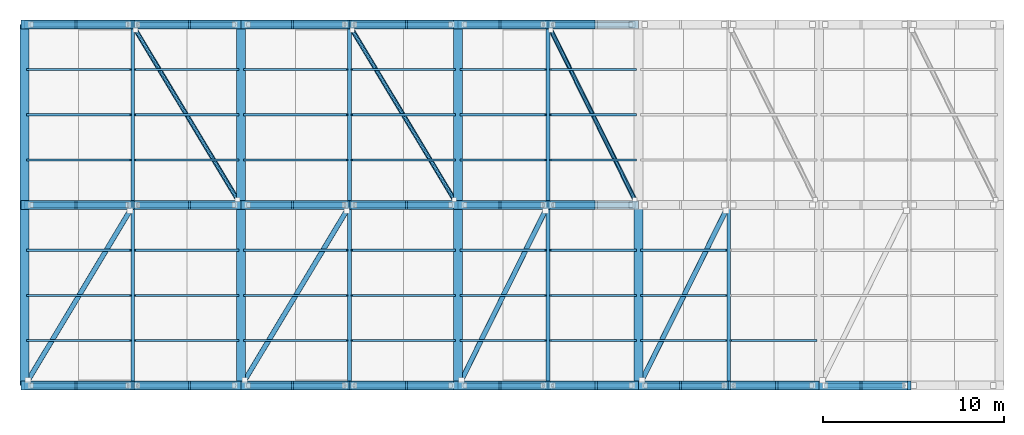
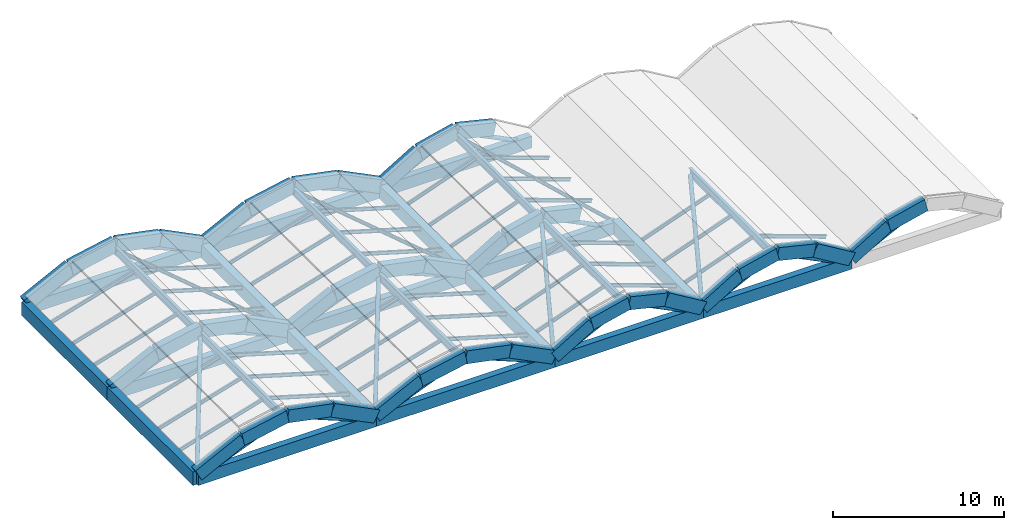
# One storey, part 1 of 3: 68 members, 64 beams.
"""IFC4 building model written with IfcOpenShell, lengths in metres."""

from ifc_helpers import new_model, si_unit, direction, frame, origin, origin_2d, place, context, subcontext, project, spatial, rectangle, hollow_circle, i_section, extrude, material, material_profile, profile_set, type_object, element, save


model = new_model("IFC4")

# Units and contexts
model_context = context("Model", 3, precision=1e-05, world=origin(), true_north=direction((0.0, 1.0)))
body_context = subcontext(model_context, "Body", "Model", "MODEL_VIEW")
ifc_project = project(units=[si_unit("LENGTHUNIT", "METRE"), si_unit("AREAUNIT", "SQUARE_METRE"), si_unit("VOLUMEUNIT", "CUBIC_METRE"), si_unit("PLANEANGLEUNIT", "RADIAN"), si_unit("MASSUNIT", "GRAM", prefix="KILO")], contexts=[model_context])

# Site, building, storey
site_placement = place(None, origin())
site = spatial("IfcSite", under=ifc_project, at=site_placement, CompositionType="ELEMENT")
building_placement = place(site_placement, origin())
building = spatial("IfcBuilding", under=site, at=building_placement, Name="Mersad Railyard Sports Hall", CompositionType="ELEMENT")
storey_placement = place(building_placement, frame((0.0, 0.0, 25.800048828125)))
storey = spatial("IfcBuildingStorey", under=building, at=storey_placement, Name="RF", CompositionType="ELEMENT", Elevation=25.800048828125)

# Beams
ifc_material_1 = material(Name="Concrete C40/50", Category="concrete")
ifc_material_profile_1 = material_profile(ifc_material_1, rectangle(XDim=0.449951171875, YDim=0.85009765625, at=origin_2d()), Name="RC 450x850")
ifc_profile_set_1 = profile_set([ifc_material_profile_1], Name="Concrete C40/50")
beam_type_1 = type_object("IfcBeamType", Name="STR-BM-B02", PredefinedType="BEAM", material=ifc_profile_set_1)
for number, where, z_axis, x_axis, name in (
    (1, (67.0, 95.0, -0.449951171875), (1.0, 0.0, 0.0), (0.0, 1.0, 0.0), "Beam B02-1491"),
    (2, (67.0, 105.0, -0.449951171875), (1.0, 0.0, 0.0), (0.0, 1.0, 0.0), "Beam B02-1496"),
    (3, (67.0, 115.0, -0.449951171875), (1.0, 0.0, 0.0), (0.0, 1.0, 0.0), "Beam B02-1501"),
    (4, (79.0, 95.0, -0.449951171875), (1.0, 0.0, 0.0), (0.0, 1.0, 0.0), "Beam B02-1508"),
    (5, (79.0, 105.0, -0.449951171875), (1.0, 0.0, 0.0), (0.0, 1.0, 0.0), "Beam B02-1513"),
    (6, (79.0, 115.0, -0.449951171875), (1.0, 0.0, 0.0), (0.0, 1.0, 0.0), "Beam B02-1518"),
):
    element("IfcBeam", number, at=place(storey_placement, frame(where, z_axis=z_axis, x_axis=x_axis)), inside=storey, type_object=beam_type_1, Name=name, PredefinedType="BEAM", context=body_context, shape_type="SweptSolid", body=[
        extrude(rectangle(XDim=0.449951171875, YDim=0.85009765625, at=origin_2d()), origin(), (0.0, 0.0, 1.0), 12.0),
    ])
for number, where, z_axis, x_axis, name in (
    (7, (91.0, 95.0, -0.449951171875), (1.0, 0.0, 0.0), (0.0, 1.0, 0.0), "Beam B02-1525"),
    (8, (91.0, 105.0, -0.449951171875), (1.0, 0.0, 0.0), (0.0, 1.0, 0.0), "Beam B02-1530"),
    (9, (91.0, 115.0, -0.449951171875), (1.0, 0.0, 0.0), (0.0, 1.0, 0.0), "Beam B02-1535"),
    (10, (101.0, 95.0, -0.449951171875), (1.0, 0.0, 0.0), (0.0, 1.0, 0.0), "Beam B02-1542"),
):
    element("IfcBeam", number, at=place(storey_placement, frame(where, z_axis=z_axis, x_axis=x_axis)), inside=storey, type_object=beam_type_1, Name=name, PredefinedType="BEAM", context=body_context, shape_type="SweptSolid", body=[
        extrude(rectangle(XDim=0.449951171875, YDim=0.85009765625, at=origin_2d()), origin(), (0.0, 0.0, 1.0), 10.0),
    ])
ifc_material_2 = material(Name="Concrete C50/60", Category="concrete")
ifc_material_profile_2 = material_profile(ifc_material_2, rectangle(XDim=0.5, YDim=0.949951171875, at=origin_2d()), Name="RC 500x950")
ifc_profile_set_2 = profile_set([ifc_material_profile_2], Name="Concrete C50/60")
beam_type_2 = type_object("IfcBeamType", Name="STR-BM-B03", PredefinedType="BEAM", material=ifc_profile_set_2)
for number, where, z_axis, x_axis, name in (
    (11, (67.0, 95.0, -0.449951171875), (0.0, 1.0, 0.0), (-1.0, 0.0, 0.0), "Beam B03-1479"),
    (12, (67.0, 105.0, -0.449951171875), (0.0, 1.0, 0.0), (-1.0, 0.0, 0.0), "Beam B03-1480"),
    (13, (79.0, 95.0, -0.449951171875), (0.0, 1.0, 0.0), (-1.0, 0.0, 0.0), "Beam B03-1481"),
    (14, (79.0, 105.0, -0.449951171875), (0.0, 1.0, 0.0), (-1.0, 0.0, 0.0), "Beam B03-1482"),
    (15, (91.0, 95.0, -0.449951171875), (0.0, 1.0, 0.0), (-1.0, 0.0, 0.0), "Beam B03-1483"),
    (16, (91.0, 105.0, -0.449951171875), (0.0, 1.0, 0.0), (-1.0, 0.0, 0.0), "Beam B03-1484"),
    (17, (101.0, 95.0, -0.449951171875), (0.0, 1.0, 0.0), (-1.0, 0.0, 0.0), "Beam B03-1485"),
):
    element("IfcBeam", number, at=place(storey_placement, frame(where, z_axis=z_axis, x_axis=x_axis)), inside=storey, type_object=beam_type_2, Name=name, PredefinedType="BEAM", context=body_context, shape_type="SweptSolid", body=[
        extrude(rectangle(XDim=0.5, YDim=0.949951171875, at=origin_2d()), origin(), (0.0, 0.0, 1.0), 10.0),
    ])
ifc_material_3 = material(Name="Steel S355", Category="steel")
ifc_material_profile_3 = material_profile(ifc_material_3, i_section(OverallWidth=0.2099609375, OverallDepth=0.550048828125, WebThickness=0.010986328125, FlangeThickness=0.01708984375, at=origin_2d()), Name="IPE 550")
ifc_profile_set_3 = profile_set([ifc_material_profile_3], Name="Steel S355")
beam_type_3 = type_object("IfcBeamType", Name="STR-BM-SB02", PredefinedType="BEAM", material=ifc_profile_set_3)
for number, where, z_axis, x_axis, name in (
    (18, (73.0, 95.0, 1.64990234375), (0.0, 1.0, 0.0), (-1.0, 0.0, 0.0), "Beam SB02-1506"),
    (19, (73.0, 105.0, 1.64990234375), (0.0, 1.0, 0.0), (-1.0, 0.0, 0.0), "Beam SB02-1507"),
    (20, (85.0, 95.0, 1.64990234375), (0.0, 1.0, 0.0), (-1.0, 0.0, 0.0), "Beam SB02-1523"),
    (21, (85.0, 105.0, 1.64990234375), (0.0, 1.0, 0.0), (-1.0, 0.0, 0.0), "Beam SB02-1524"),
    (22, (96.0, 95.0, 1.64990234375), (0.0, 1.0, 0.0), (-1.0, 0.0, 0.0), "Beam SB02-1540"),
    (23, (96.0, 105.0, 1.64990234375), (0.0, 1.0, 0.0), (-1.0, 0.0, 0.0), "Beam SB02-1541"),
    (24, (106.0, 95.0, 1.64990234375), (0.0, 1.0, 0.0), (-1.0, 0.0, 0.0), "Beam SB02-1557"),
):
    element("IfcBeam", number, at=place(storey_placement, frame(where, z_axis=z_axis, x_axis=x_axis)), inside=storey, type_object=beam_type_3, Name=name, PredefinedType="BEAM", context=body_context, shape_type="SweptSolid", body=[
        extrude(i_section(OverallWidth=0.2099609375, OverallDepth=0.550048828125, WebThickness=0.010986328125, FlangeThickness=0.01708984375, at=origin_2d()), origin(), (0.0, 0.0, 1.0), 10.0),
    ])
ifc_material_4 = material(Name="Architectural concrete C50/60", Category="concrete")
ifc_material_profile_4 = material_profile(ifc_material_4, rectangle(XDim=0.5, YDim=0.89990234375, at=origin_2d()), Name="VR 500x900")
ifc_profile_set_4 = profile_set([ifc_material_profile_4], Name="Architectural concrete C50/60")
beam_type_4 = type_object("IfcBeamType", Name="STR-BM-VR02", PredefinedType="BEAM", material=ifc_profile_set_4)
beam_1_placement = place(storey_placement, frame((67.0, 95.0, -0.150146484375), z_axis=(0.894427191, 0.0, 0.4472135955), x_axis=(0.0, 1.0, 0.0)))
element("IfcBeam", 25, at=beam_1_placement, inside=storey, type_object=beam_type_4, Name="Beam VR02-1492", PredefinedType="BEAM", context=body_context, shape_type="SweptSolid", body=[
    extrude(rectangle(XDim=0.5, YDim=0.89990234375, at=origin_2d()), origin(), (0.0, 0.0, 1.0), 3.35400390625),
])
for number, where, z_axis, x_axis, name in (
    (26, (70.0, 95.0, 1.349853515625), (0.980574536798, 0.0, 0.196146827104), (0.0, 1.0, 0.0), "Beam VR02-1493"),
    (27, (73.0, 95.0, 1.949951171875), (0.980574536798, 0.0, -0.196146827104), (0.0, 1.0, 0.0), "Beam VR02-1494"),
):
    element("IfcBeam", number, at=place(storey_placement, frame(where, z_axis=z_axis, x_axis=x_axis)), inside=storey, type_object=beam_type_4, Name=name, PredefinedType="BEAM", context=body_context, shape_type="SweptSolid", body=[
        extrude(rectangle(XDim=0.5, YDim=0.89990234375, at=origin_2d()), origin(), (0.0, 0.0, 1.0), 3.059326171875),
    ])
for number, where, z_axis, x_axis, name in (
    (28, (76.0, 95.0, 1.349853515625), (0.894427191, 0.0, -0.4472135955), (0.0, 1.0, 0.0), "Beam VR02-1495"),
    (29, (67.0, 105.0, -0.150146484375), (0.894427191, 0.0, 0.4472135955), (0.0, 1.0, 0.0), "Beam VR02-1497"),
):
    element("IfcBeam", number, at=place(storey_placement, frame(where, z_axis=z_axis, x_axis=x_axis)), inside=storey, type_object=beam_type_4, Name=name, PredefinedType="BEAM", context=body_context, shape_type="SweptSolid", body=[
        extrude(rectangle(XDim=0.5, YDim=0.89990234375, at=origin_2d()), origin(), (0.0, 0.0, 1.0), 3.35400390625),
    ])
for number, where, z_axis, x_axis, name in (
    (30, (70.0, 105.0, 1.349853515625), (0.980574536798, 0.0, 0.196146827104), (0.0, 1.0, 0.0), "Beam VR02-1498"),
    (31, (73.0, 105.0, 1.949951171875), (0.980574536798, 0.0, -0.196146827104), (0.0, 1.0, 0.0), "Beam VR02-1499"),
):
    element("IfcBeam", number, at=place(storey_placement, frame(where, z_axis=z_axis, x_axis=x_axis)), inside=storey, type_object=beam_type_4, Name=name, PredefinedType="BEAM", context=body_context, shape_type="SweptSolid", body=[
        extrude(rectangle(XDim=0.5, YDim=0.89990234375, at=origin_2d()), origin(), (0.0, 0.0, 1.0), 3.059326171875),
    ])
for number, where, z_axis, x_axis, name in (
    (32, (76.0, 105.0, 1.349853515625), (0.894427191, 0.0, -0.4472135955), (0.0, 1.0, 0.0), "Beam VR02-1500"),
    (33, (67.0, 115.0, -0.150146484375), (0.894427191, 0.0, 0.4472135955), (0.0, 1.0, 0.0), "Beam VR02-1502"),
):
    element("IfcBeam", number, at=place(storey_placement, frame(where, z_axis=z_axis, x_axis=x_axis)), inside=storey, type_object=beam_type_4, Name=name, PredefinedType="BEAM", context=body_context, shape_type="SweptSolid", body=[
        extrude(rectangle(XDim=0.5, YDim=0.89990234375, at=origin_2d()), origin(), (0.0, 0.0, 1.0), 3.35400390625),
    ])
for number, where, z_axis, x_axis, name in (
    (34, (70.0, 115.0, 1.349853515625), (0.980574536798, 0.0, 0.196146827104), (0.0, 1.0, 0.0), "Beam VR02-1503"),
    (35, (73.0, 115.0, 1.949951171875), (0.980574536798, 0.0, -0.196146827104), (0.0, 1.0, 0.0), "Beam VR02-1504"),
):
    element("IfcBeam", number, at=place(storey_placement, frame(where, z_axis=z_axis, x_axis=x_axis)), inside=storey, type_object=beam_type_4, Name=name, PredefinedType="BEAM", context=body_context, shape_type="SweptSolid", body=[
        extrude(rectangle(XDim=0.5, YDim=0.89990234375, at=origin_2d()), origin(), (0.0, 0.0, 1.0), 3.059326171875),
    ])
for number, where, z_axis, x_axis, name in (
    (36, (76.0, 115.0, 1.349853515625), (0.894427191, 0.0, -0.4472135955), (0.0, 1.0, 0.0), "Beam VR02-1505"),
    (37, (79.0, 95.0, -0.150146484375), (0.894427191, 0.0, 0.4472135955), (0.0, 1.0, 0.0), "Beam VR02-1509"),
):
    element("IfcBeam", number, at=place(storey_placement, frame(where, z_axis=z_axis, x_axis=x_axis)), inside=storey, type_object=beam_type_4, Name=name, PredefinedType="BEAM", context=body_context, shape_type="SweptSolid", body=[
        extrude(rectangle(XDim=0.5, YDim=0.89990234375, at=origin_2d()), origin(), (0.0, 0.0, 1.0), 3.35400390625),
    ])
for number, where, z_axis, x_axis, name in (
    (38, (82.0, 95.0, 1.349853515625), (0.980574536798, 0.0, 0.196146827104), (0.0, 1.0, 0.0), "Beam VR02-1510"),
    (39, (85.0, 95.0, 1.949951171875), (0.980574536798, 0.0, -0.196146827104), (0.0, 1.0, 0.0), "Beam VR02-1511"),
):
    element("IfcBeam", number, at=place(storey_placement, frame(where, z_axis=z_axis, x_axis=x_axis)), inside=storey, type_object=beam_type_4, Name=name, PredefinedType="BEAM", context=body_context, shape_type="SweptSolid", body=[
        extrude(rectangle(XDim=0.5, YDim=0.89990234375, at=origin_2d()), origin(), (0.0, 0.0, 1.0), 3.059326171875),
    ])
for number, where, z_axis, x_axis, name in (
    (40, (88.0, 95.0, 1.349853515625), (0.894427191, 0.0, -0.4472135955), (0.0, 1.0, 0.0), "Beam VR02-1512"),
    (41, (79.0, 105.0, -0.150146484375), (0.894427191, 0.0, 0.4472135955), (0.0, 1.0, 0.0), "Beam VR02-1514"),
):
    element("IfcBeam", number, at=place(storey_placement, frame(where, z_axis=z_axis, x_axis=x_axis)), inside=storey, type_object=beam_type_4, Name=name, PredefinedType="BEAM", context=body_context, shape_type="SweptSolid", body=[
        extrude(rectangle(XDim=0.5, YDim=0.89990234375, at=origin_2d()), origin(), (0.0, 0.0, 1.0), 3.35400390625),
    ])
for number, where, z_axis, x_axis, name in (
    (42, (82.0, 105.0, 1.349853515625), (0.980574536798, 0.0, 0.196146827104), (0.0, 1.0, 0.0), "Beam VR02-1515"),
    (43, (85.0, 105.0, 1.949951171875), (0.980574536798, 0.0, -0.196146827104), (0.0, 1.0, 0.0), "Beam VR02-1516"),
):
    element("IfcBeam", number, at=place(storey_placement, frame(where, z_axis=z_axis, x_axis=x_axis)), inside=storey, type_object=beam_type_4, Name=name, PredefinedType="BEAM", context=body_context, shape_type="SweptSolid", body=[
        extrude(rectangle(XDim=0.5, YDim=0.89990234375, at=origin_2d()), origin(), (0.0, 0.0, 1.0), 3.059326171875),
    ])
for number, where, z_axis, x_axis, name in (
    (44, (88.0, 105.0, 1.349853515625), (0.894427191, 0.0, -0.4472135955), (0.0, 1.0, 0.0), "Beam VR02-1517"),
    (45, (79.0, 115.0, -0.150146484375), (0.894427191, 0.0, 0.4472135955), (0.0, 1.0, 0.0), "Beam VR02-1519"),
):
    element("IfcBeam", number, at=place(storey_placement, frame(where, z_axis=z_axis, x_axis=x_axis)), inside=storey, type_object=beam_type_4, Name=name, PredefinedType="BEAM", context=body_context, shape_type="SweptSolid", body=[
        extrude(rectangle(XDim=0.5, YDim=0.89990234375, at=origin_2d()), origin(), (0.0, 0.0, 1.0), 3.35400390625),
    ])
for number, where, z_axis, x_axis, name in (
    (46, (82.0, 115.0, 1.349853515625), (0.980574536798, 0.0, 0.196146827104), (0.0, 1.0, 0.0), "Beam VR02-1520"),
    (47, (85.0, 115.0, 1.949951171875), (0.980574536798, 0.0, -0.196146827104), (0.0, 1.0, 0.0), "Beam VR02-1521"),
):
    element("IfcBeam", number, at=place(storey_placement, frame(where, z_axis=z_axis, x_axis=x_axis)), inside=storey, type_object=beam_type_4, Name=name, PredefinedType="BEAM", context=body_context, shape_type="SweptSolid", body=[
        extrude(rectangle(XDim=0.5, YDim=0.89990234375, at=origin_2d()), origin(), (0.0, 0.0, 1.0), 3.059326171875),
    ])
beam_2_placement = place(storey_placement, frame((88.0, 115.0, 1.349853515625), z_axis=(0.894427191, 0.0, -0.4472135955), x_axis=(0.0, 1.0, 0.0)))
element("IfcBeam", 48, at=beam_2_placement, inside=storey, type_object=beam_type_4, Name="Beam VR02-1522", PredefinedType="BEAM", context=body_context, shape_type="SweptSolid", body=[
    extrude(rectangle(XDim=0.5, YDim=0.89990234375, at=origin_2d()), origin(), (0.0, 0.0, 1.0), 3.35400390625),
])
beam_3_placement = place(storey_placement, frame((91.0, 95.0, -0.150146484375), z_axis=(0.857492925713, 0.0, 0.514495755428), x_axis=(0.0, 1.0, 0.0)))
element("IfcBeam", 49, at=beam_3_placement, inside=storey, type_object=beam_type_4, Name="Beam VR02-1526", PredefinedType="BEAM", context=body_context, shape_type="SweptSolid", body=[
    extrude(rectangle(XDim=0.5, YDim=0.89990234375, at=origin_2d()), origin(), (0.0, 0.0, 1.0), 2.91552734375),
])
for number, where, z_axis, x_axis, name in (
    (50, (93.5, 95.0, 1.349853515625), (0.972378681754, 0.0, 0.233408867163), (0.0, 1.0, 0.0), "Beam VR02-1527"),
    (51, (96.0, 95.0, 1.949951171875), (0.972378681754, 0.0, -0.233408867163), (0.0, 1.0, 0.0), "Beam VR02-1528"),
):
    element("IfcBeam", number, at=place(storey_placement, frame(where, z_axis=z_axis, x_axis=x_axis)), inside=storey, type_object=beam_type_4, Name=name, PredefinedType="BEAM", context=body_context, shape_type="SweptSolid", body=[
        extrude(rectangle(XDim=0.5, YDim=0.89990234375, at=origin_2d()), origin(), (0.0, 0.0, 1.0), 2.571044921875),
    ])
for number, where, z_axis, x_axis, name in (
    (52, (98.5, 95.0, 1.349853515625), (0.857492925713, 0.0, -0.514495755428), (0.0, 1.0, 0.0), "Beam VR02-1529"),
    (53, (91.0, 105.0, -0.150146484375), (0.857492925713, 0.0, 0.514495755428), (0.0, 1.0, 0.0), "Beam VR02-1531"),
):
    element("IfcBeam", number, at=place(storey_placement, frame(where, z_axis=z_axis, x_axis=x_axis)), inside=storey, type_object=beam_type_4, Name=name, PredefinedType="BEAM", context=body_context, shape_type="SweptSolid", body=[
        extrude(rectangle(XDim=0.5, YDim=0.89990234375, at=origin_2d()), origin(), (0.0, 0.0, 1.0), 2.91552734375),
    ])
for number, where, z_axis, x_axis, name in (
    (54, (93.5, 105.0, 1.349853515625), (0.972378681754, 0.0, 0.233408867163), (0.0, 1.0, 0.0), "Beam VR02-1532"),
    (55, (96.0, 105.0, 1.949951171875), (0.972378681754, 0.0, -0.233408867163), (0.0, 1.0, 0.0), "Beam VR02-1533"),
):
    element("IfcBeam", number, at=place(storey_placement, frame(where, z_axis=z_axis, x_axis=x_axis)), inside=storey, type_object=beam_type_4, Name=name, PredefinedType="BEAM", context=body_context, shape_type="SweptSolid", body=[
        extrude(rectangle(XDim=0.5, YDim=0.89990234375, at=origin_2d()), origin(), (0.0, 0.0, 1.0), 2.571044921875),
    ])
beam_4_placement = place(storey_placement, frame((91.0, 115.0, -0.150146484375), z_axis=(0.857492925713, 0.0, 0.514495755428), x_axis=(0.0, 1.0, 0.0)))
element("IfcBeam", 56, at=beam_4_placement, inside=storey, type_object=beam_type_4, Name="Beam VR02-1536", PredefinedType="BEAM", context=body_context, shape_type="SweptSolid", body=[
    extrude(rectangle(XDim=0.5, YDim=0.89990234375, at=origin_2d()), origin(), (0.0, 0.0, 1.0), 2.91552734375),
])
for number, where, z_axis, x_axis, name in (
    (57, (93.5, 115.0, 1.349853515625), (0.972378681754, 0.0, 0.233408867163), (0.0, 1.0, 0.0), "Beam VR02-1537"),
    (58, (96.0, 115.0, 1.949951171875), (0.972378681754, 0.0, -0.233408867163), (0.0, 1.0, 0.0), "Beam VR02-1538"),
):
    element("IfcBeam", number, at=place(storey_placement, frame(where, z_axis=z_axis, x_axis=x_axis)), inside=storey, type_object=beam_type_4, Name=name, PredefinedType="BEAM", context=body_context, shape_type="SweptSolid", body=[
        extrude(rectangle(XDim=0.5, YDim=0.89990234375, at=origin_2d()), origin(), (0.0, 0.0, 1.0), 2.571044921875),
    ])
beam_5_placement = place(storey_placement, frame((101.0, 95.0, -0.150146484375), z_axis=(0.857492925713, 0.0, 0.514495755428), x_axis=(0.0, 1.0, 0.0)))
element("IfcBeam", 59, at=beam_5_placement, inside=storey, type_object=beam_type_4, Name="Beam VR02-1543", PredefinedType="BEAM", context=body_context, shape_type="SweptSolid", body=[
    extrude(rectangle(XDim=0.5, YDim=0.89990234375, at=origin_2d()), origin(), (0.0, 0.0, 1.0), 2.91552734375),
])
for number, where, z_axis, x_axis, name in (
    (60, (103.5, 95.0, 1.349853515625), (0.972378681754, 0.0, 0.233408867163), (0.0, 1.0, 0.0), "Beam VR02-1544"),
    (61, (106.0, 95.0, 1.949951171875), (0.972378681754, 0.0, -0.233408867163), (0.0, 1.0, 0.0), "Beam VR02-1545"),
):
    element("IfcBeam", number, at=place(storey_placement, frame(where, z_axis=z_axis, x_axis=x_axis)), inside=storey, type_object=beam_type_4, Name=name, PredefinedType="BEAM", context=body_context, shape_type="SweptSolid", body=[
        extrude(rectangle(XDim=0.5, YDim=0.89990234375, at=origin_2d()), origin(), (0.0, 0.0, 1.0), 2.571044921875),
    ])
for number, where, z_axis, x_axis, name in (
    (62, (108.5, 95.0, 1.349853515625), (0.857492925713, 0.0, -0.514495755428), (0.0, 1.0, 0.0), "Beam VR02-1546"),
    (63, (111.0, 95.0, -0.150146484375), (0.857492925713, 0.0, 0.514495755428), (0.0, 1.0, 0.0), "Beam VR02-1560"),
):
    element("IfcBeam", number, at=place(storey_placement, frame(where, z_axis=z_axis, x_axis=x_axis)), inside=storey, type_object=beam_type_4, Name=name, PredefinedType="BEAM", context=body_context, shape_type="SweptSolid", body=[
        extrude(rectangle(XDim=0.5, YDim=0.89990234375, at=origin_2d()), origin(), (0.0, 0.0, 1.0), 2.91552734375),
    ])
beam_6_placement = place(storey_placement, frame((113.5, 95.0, 1.349853515625), z_axis=(0.972378681754, 0.0, 0.233408867163), x_axis=(0.0, 1.0, 0.0)))
element("IfcBeam", 64, at=beam_6_placement, inside=storey, type_object=beam_type_4, Name="Beam VR02-1561", PredefinedType="BEAM", context=body_context, shape_type="SweptSolid", body=[
    extrude(rectangle(XDim=0.5, YDim=0.89990234375, at=origin_2d()), origin(), (0.0, 0.0, 1.0), 2.571044921875),
])

# Members
ifc_material_profile_5 = material_profile(ifc_material_3, hollow_circle(Radius=0.122314453125, WallThickness=0.012451171875, at=origin_2d()), Name="CHS 244.5x12.5")
ifc_profile_set_5 = profile_set([ifc_material_profile_5], Name="Steel S355")
member_type_1 = type_object("IfcMemberType", Name="STR-MEM-BR01", PredefinedType="BRACE", material=ifc_profile_set_5)
for number, where, z_axis, x_axis, name in (
    (65, (73.14990234375, 114.699951171875, 1.599853515625), (0.508743941926, -0.846375113514, -0.157571471967), (0.85708213894, 0.515179781349, 0.0), "Structural member BR01-0315"),
    (66, (85.14990234375, 114.699951171875, 1.599853515625), (0.508743941926, -0.846375113514, -0.157571471967), (0.85708213894, 0.515179781349, 0.0), "Structural member BR01-0329"),
):
    element("IfcMember", number, at=place(storey_placement, frame(where, z_axis=z_axis, x_axis=x_axis)), inside=storey, type_object=member_type_1, Name=name, PredefinedType="BRACE", context=body_context, shape_type="SweptSolid", body=[
        extrude(hollow_circle(Radius=0.122314453125, WallThickness=0.012451171875, at=origin_2d()), origin(), (0.0, 0.0, 1.0), 11.10595703125),
    ])
member_placement = place(storey_placement, frame((96.14990234375, 114.699951171875, 1.599853515625), z_axis=(0.437362823388, -0.884094262934, -0.164593726994), x_axis=(0.896318753344, 0.443410298035, 0.0)))
element("IfcMember", 67, at=member_placement, inside=storey, type_object=member_type_1, Name="Structural member BR01-0343", PredefinedType="BRACE", context=body_context, shape_type="SweptSolid", body=[
    extrude(hollow_circle(Radius=0.122314453125, WallThickness=0.012451171875, at=origin_2d()), origin(), (0.0, 0.0, 1.0), 10.63232421875),
])
ifc_material_profile_6 = material_profile(ifc_material_3, hollow_circle(Radius=0.136474609375, WallThickness=0.012451171875, at=origin_2d()), Name="CHS 273x12.5")
ifc_profile_set_6 = profile_set([ifc_material_profile_6], Name="Steel S355")
member_type_2 = type_object("IfcMemberType", Name="STR-MEM-BR02", PredefinedType="BRACE", material=ifc_profile_set_6)
for number, where, z_axis, x_axis, name in (
    (68, (67.35009765625, 95.0, -0.420166015625), (0.927870788176, 0.0, 0.372901864368), (0.0, 1.0, 0.0), "Structural member BR02-0029"),
    (69, (78.64990234375, 95.0, -0.420166015625), (-0.927870788176, 0.0, 0.372901864368), (0.0, -1.0, 0.0), "Structural member BR02-0030"),
    (70, (67.35009765625, 105.0, -0.420166015625), (0.927870788176, 0.0, 0.372901864368), (0.0, 1.0, 0.0), "Structural member BR02-0031"),
    (71, (78.64990234375, 105.0, -0.420166015625), (-0.927870788176, 0.0, 0.372901864368), (0.0, -1.0, 0.0), "Structural member BR02-0032"),
    (72, (67.35009765625, 115.0, -0.420166015625), (0.927870788176, 0.0, 0.372901864368), (0.0, 1.0, 0.0), "Structural member BR02-0033"),
    (73, (78.64990234375, 115.0, -0.420166015625), (-0.927870788176, 0.0, 0.372901864368), (0.0, -1.0, 0.0), "Structural member BR02-0034"),
    (74, (79.35009765625, 95.0, -0.420166015625), (0.927870788176, 0.0, 0.372901864368), (0.0, 1.0, 0.0), "Structural member BR02-0035"),
    (75, (90.64990234375, 95.0, -0.420166015625), (-0.927870788176, 0.0, 0.372901864368), (0.0, -1.0, 0.0), "Structural member BR02-0036"),
    (76, (79.35009765625, 105.0, -0.420166015625), (0.927870788176, 0.0, 0.372901864368), (0.0, 1.0, 0.0), "Structural member BR02-0037"),
    (77, (90.64990234375, 105.0, -0.420166015625), (-0.927870788176, 0.0, 0.372901864368), (0.0, -1.0, 0.0), "Structural member BR02-0038"),
    (78, (79.35009765625, 115.0, -0.420166015625), (0.927870788176, 0.0, 0.372901864368), (0.0, 1.0, 0.0), "Structural member BR02-0039"),
    (79, (90.64990234375, 115.0, -0.420166015625), (-0.927870788176, 0.0, 0.372901864368), (0.0, -1.0, 0.0), "Structural member BR02-0040"),
):
    element("IfcMember", number, at=place(storey_placement, frame(where, z_axis=z_axis, x_axis=x_axis)), inside=storey, type_object=member_type_2, Name=name, PredefinedType="BRACE", context=body_context, shape_type="SweptSolid", body=[
        extrude(hollow_circle(Radius=0.136474609375, WallThickness=0.012451171875, at=origin_2d()), origin(), (0.0, 0.0, 1.0), 5.819580078125),
    ])
for number, where, z_axis, x_axis, name in (
    (80, (91.35009765625, 95.0, -0.420166015625), (0.896842475218, 0.0, 0.44235005894), (0.0, 1.0, 0.0), "Structural member BR02-0041"),
    (81, (100.64990234375, 95.0, -0.420166015625), (-0.896842475218, 0.0, 0.44235005894), (0.0, -1.0, 0.0), "Structural member BR02-0042"),
    (82, (91.35009765625, 105.0, -0.420166015625), (0.896842475218, 0.0, 0.44235005894), (0.0, 1.0, 0.0), "Structural member BR02-0043"),
    (83, (100.64990234375, 105.0, -0.420166015625), (-0.896842475218, 0.0, 0.44235005894), (0.0, -1.0, 0.0), "Structural member BR02-0044"),
    (84, (91.35009765625, 115.0, -0.420166015625), (0.896842475218, 0.0, 0.44235005894), (0.0, 1.0, 0.0), "Structural member BR02-0045"),
    (85, (100.64990234375, 115.0, -0.420166015625), (-0.896842475218, 0.0, 0.44235005894), (0.0, -1.0, 0.0), "Structural member BR02-0046"),
    (86, (101.35009765625, 95.0, -0.420166015625), (0.896842475218, 0.0, 0.44235005894), (0.0, 1.0, 0.0), "Structural member BR02-0047"),
    (87, (110.64990234375, 95.0, -0.420166015625), (-0.896842475218, 0.0, 0.44235005894), (0.0, -1.0, 0.0), "Structural member BR02-0048"),
    (88, (111.35009765625, 95.0, -0.420166015625), (0.896842475218, 0.0, 0.44235005894), (0.0, 1.0, 0.0), "Structural member BR02-0053"),
):
    element("IfcMember", number, at=place(storey_placement, frame(where, z_axis=z_axis, x_axis=x_axis)), inside=storey, type_object=member_type_2, Name=name, PredefinedType="BRACE", context=body_context, shape_type="SweptSolid", body=[
        extrude(hollow_circle(Radius=0.136474609375, WallThickness=0.012451171875, at=origin_2d()), origin(), (0.0, 0.0, 1.0), 4.906005859375),
    ])
for number, where, z_axis, x_axis, name in (
    (89, (67.199951171875, 95.300048828125, -0.150146484375), (0.508743941926, 0.846375113514, 0.157571471967), (-0.85708213894, 0.515179781349, 0.0), "Structural member BR02-0314"),
    (90, (79.199951171875, 95.300048828125, -0.150146484375), (0.508743941926, 0.846375113514, 0.157571471967), (-0.85708213894, 0.515179781349, 0.0), "Structural member BR02-0328"),
):
    element("IfcMember", number, at=place(storey_placement, frame(where, z_axis=z_axis, x_axis=x_axis)), inside=storey, type_object=member_type_2, Name=name, PredefinedType="BRACE", context=body_context, shape_type="SweptSolid", body=[
        extrude(hollow_circle(Radius=0.136474609375, WallThickness=0.012451171875, at=origin_2d()), origin(), (0.0, 0.0, 1.0), 11.10595703125),
    ])
for number, where, z_axis, x_axis, name in (
    (91, (91.199951171875, 95.300048828125, -0.150146484375), (0.437362823388, 0.884094262934, 0.164593726994), (-0.896318753344, 0.443410298035, 0.0), "Structural member BR02-0342"),
    (92, (101.199951171875, 95.300048828125, -0.150146484375), (0.437362823388, 0.884094262934, 0.164593726994), (-0.896318753344, 0.443410298035, 0.0), "Structural member BR02-0356"),
):
    element("IfcMember", number, at=place(storey_placement, frame(where, z_axis=z_axis, x_axis=x_axis)), inside=storey, type_object=member_type_2, Name=name, PredefinedType="BRACE", context=body_context, shape_type="SweptSolid", body=[
        extrude(hollow_circle(Radius=0.136474609375, WallThickness=0.012451171875, at=origin_2d()), origin(), (0.0, 0.0, 1.0), 10.63232421875),
    ])
ifc_material_profile_7 = material_profile(ifc_material_3, i_section(OverallWidth=0.1201171875, OverallDepth=0.239990234375, WebThickness=0.006103515625, FlangeThickness=0.009765625, at=origin_2d()), Name="IPE 240")
ifc_profile_set_7 = profile_set([ifc_material_profile_7], Name="Steel S355")
member_type_3 = type_object("IfcMemberType", Name="STR-MEM-PU01", PredefinedType="PURLIN", material=ifc_profile_set_7)
for number, where, z_axis, x_axis, name in (
    (93, (67.14990234375, 97.5, -0.150146484375), (0.958687603003, 0.0, 0.284461033972), (0.0, 1.0, 0.0), "Structural member PU01-0302"),
    (94, (73.1201171875, 97.5, 1.550048828125), (0.958687603003, 0.0, -0.284461033972), (0.0, 1.0, 0.0), "Structural member PU01-0303"),
    (95, (67.14990234375, 100.0, -0.150146484375), (0.958687603003, 0.0, 0.284461033972), (0.0, 1.0, 0.0), "Structural member PU01-0304"),
    (96, (73.1201171875, 100.0, 1.550048828125), (0.958687603003, 0.0, -0.284461033972), (0.0, 1.0, 0.0), "Structural member PU01-0305"),
    (97, (67.14990234375, 102.5, -0.150146484375), (0.958687603003, 0.0, 0.284461033972), (0.0, 1.0, 0.0), "Structural member PU01-0306"),
    (98, (73.1201171875, 102.5, 1.550048828125), (0.958687603003, 0.0, -0.284461033972), (0.0, 1.0, 0.0), "Structural member PU01-0307"),
    (99, (67.14990234375, 107.5, -0.150146484375), (0.958687603003, 0.0, 0.284461033972), (0.0, 1.0, 0.0), "Structural member PU01-0308"),
    (100, (73.1201171875, 107.5, 1.550048828125), (0.958687603003, 0.0, -0.284461033972), (0.0, 1.0, 0.0), "Structural member PU01-0309"),
    (101, (67.14990234375, 110.0, -0.150146484375), (0.958687603003, 0.0, 0.284461033972), (0.0, 1.0, 0.0), "Structural member PU01-0310"),
    (102, (73.1201171875, 110.0, 1.550048828125), (0.958687603003, 0.0, -0.284461033972), (0.0, 1.0, 0.0), "Structural member PU01-0311"),
    (103, (67.14990234375, 112.5, -0.150146484375), (0.958687603003, 0.0, 0.284461033972), (0.0, 1.0, 0.0), "Structural member PU01-0312"),
    (104, (73.1201171875, 112.5, 1.550048828125), (0.958687603003, 0.0, -0.284461033972), (0.0, 1.0, 0.0), "Structural member PU01-0313"),
    (105, (79.14990234375, 97.5, -0.150146484375), (0.958687603003, 0.0, 0.284461033972), (0.0, 1.0, 0.0), "Structural member PU01-0316"),
    (106, (85.1201171875, 97.5, 1.550048828125), (0.958687603003, 0.0, -0.284461033972), (0.0, 1.0, 0.0), "Structural member PU01-0317"),
    (107, (79.14990234375, 100.0, -0.150146484375), (0.958687603003, 0.0, 0.284461033972), (0.0, 1.0, 0.0), "Structural member PU01-0318"),
    (108, (85.1201171875, 100.0, 1.550048828125), (0.958687603003, 0.0, -0.284461033972), (0.0, 1.0, 0.0), "Structural member PU01-0319"),
    (109, (79.14990234375, 102.5, -0.150146484375), (0.958687603003, 0.0, 0.284461033972), (0.0, 1.0, 0.0), "Structural member PU01-0320"),
    (110, (85.1201171875, 102.5, 1.550048828125), (0.958687603003, 0.0, -0.284461033972), (0.0, 1.0, 0.0), "Structural member PU01-0321"),
    (111, (79.14990234375, 107.5, -0.150146484375), (0.958687603003, 0.0, 0.284461033972), (0.0, 1.0, 0.0), "Structural member PU01-0322"),
    (112, (85.1201171875, 107.5, 1.550048828125), (0.958687603003, 0.0, -0.284461033972), (0.0, 1.0, 0.0), "Structural member PU01-0323"),
    (113, (79.14990234375, 110.0, -0.150146484375), (0.958687603003, 0.0, 0.284461033972), (0.0, 1.0, 0.0), "Structural member PU01-0324"),
    (114, (85.1201171875, 110.0, 1.550048828125), (0.958687603003, 0.0, -0.284461033972), (0.0, 1.0, 0.0), "Structural member PU01-0325"),
    (115, (79.14990234375, 112.5, -0.150146484375), (0.958687603003, 0.0, 0.284461033972), (0.0, 1.0, 0.0), "Structural member PU01-0326"),
    (116, (85.1201171875, 112.5, 1.550048828125), (0.958687603003, 0.0, -0.284461033972), (0.0, 1.0, 0.0), "Structural member PU01-0327"),
):
    element("IfcMember", number, at=place(storey_placement, frame(where, z_axis=z_axis, x_axis=x_axis)), inside=storey, type_object=member_type_3, Name=name, PredefinedType="PURLIN", context=body_context, shape_type="SweptSolid", body=[
        extrude(i_section(OverallWidth=0.1201171875, OverallDepth=0.239990234375, WebThickness=0.006103515625, FlangeThickness=0.009765625, at=origin_2d()), origin(), (0.0, 0.0, 1.0), 5.976806640625),
    ])
for number, where, z_axis, x_axis, name in (
    (117, (91.14990234375, 97.5, -0.150146484375), (0.941052008282, 0.0, 0.338261906972), (0.0, 1.0, 0.0), "Structural member PU01-0330"),
    (118, (96.1201171875, 97.5, 1.550048828125), (0.941052008282, 0.0, -0.338261906972), (0.0, 1.0, 0.0), "Structural member PU01-0331"),
    (119, (91.14990234375, 100.0, -0.150146484375), (0.941052008282, 0.0, 0.338261906972), (0.0, 1.0, 0.0), "Structural member PU01-0332"),
    (120, (96.1201171875, 100.0, 1.550048828125), (0.941052008282, 0.0, -0.338261906972), (0.0, 1.0, 0.0), "Structural member PU01-0333"),
    (121, (91.14990234375, 102.5, -0.150146484375), (0.941052008282, 0.0, 0.338261906972), (0.0, 1.0, 0.0), "Structural member PU01-0334"),
    (122, (96.1201171875, 102.5, 1.550048828125), (0.941052008282, 0.0, -0.338261906972), (0.0, 1.0, 0.0), "Structural member PU01-0335"),
    (123, (91.14990234375, 107.5, -0.150146484375), (0.941052008282, 0.0, 0.338261906972), (0.0, 1.0, 0.0), "Structural member PU01-0336"),
    (124, (96.1201171875, 107.5, 1.550048828125), (0.941052008282, 0.0, -0.338261906972), (0.0, 1.0, 0.0), "Structural member PU01-0337"),
    (125, (91.14990234375, 110.0, -0.150146484375), (0.941052008282, 0.0, 0.338261906972), (0.0, 1.0, 0.0), "Structural member PU01-0338"),
    (126, (96.1201171875, 110.0, 1.550048828125), (0.941052008282, 0.0, -0.338261906972), (0.0, 1.0, 0.0), "Structural member PU01-0339"),
    (127, (91.14990234375, 112.5, -0.150146484375), (0.941052008282, 0.0, 0.338261906972), (0.0, 1.0, 0.0), "Structural member PU01-0340"),
    (128, (96.1201171875, 112.5, 1.550048828125), (0.941052008282, 0.0, -0.338261906972), (0.0, 1.0, 0.0), "Structural member PU01-0341"),
    (129, (101.14990234375, 97.5, -0.150146484375), (0.941052008282, 0.0, 0.338261906972), (0.0, 1.0, 0.0), "Structural member PU01-0344"),
    (130, (106.1201171875, 97.5, 1.550048828125), (0.941052008282, 0.0, -0.338261906972), (0.0, 1.0, 0.0), "Structural member PU01-0345"),
    (131, (101.14990234375, 100.0, -0.150146484375), (0.941052008282, 0.0, 0.338261906972), (0.0, 1.0, 0.0), "Structural member PU01-0346"),
    (132, (101.14990234375, 102.5, -0.150146484375), (0.941052008282, 0.0, 0.338261906972), (0.0, 1.0, 0.0), "Structural member PU01-0348"),
):
    element("IfcMember", number, at=place(storey_placement, frame(where, z_axis=z_axis, x_axis=x_axis)), inside=storey, type_object=member_type_3, Name=name, PredefinedType="PURLIN", context=body_context, shape_type="SweptSolid", body=[
        extrude(i_section(OverallWidth=0.1201171875, OverallDepth=0.239990234375, WebThickness=0.006103515625, FlangeThickness=0.009765625, at=origin_2d()), origin(), (0.0, 0.0, 1.0), 5.0263671875),
    ])

save(model, "model.ifc")
